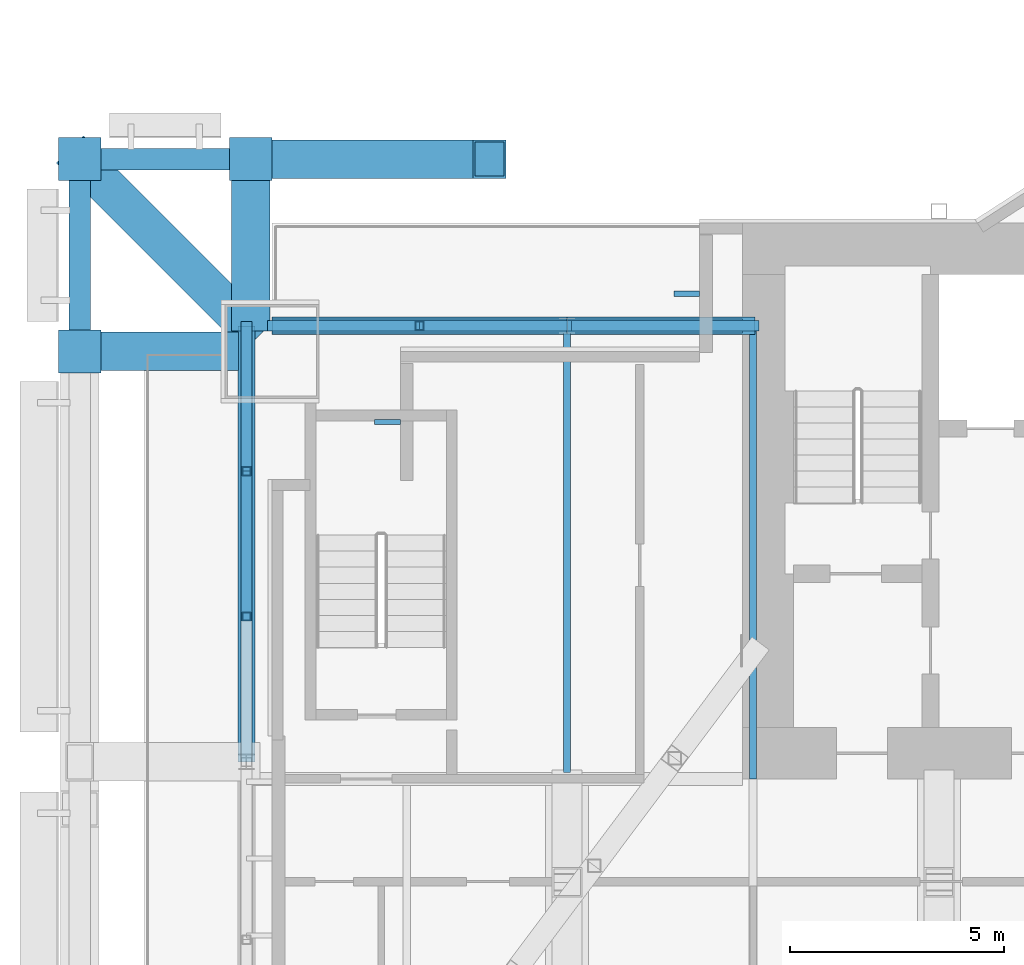
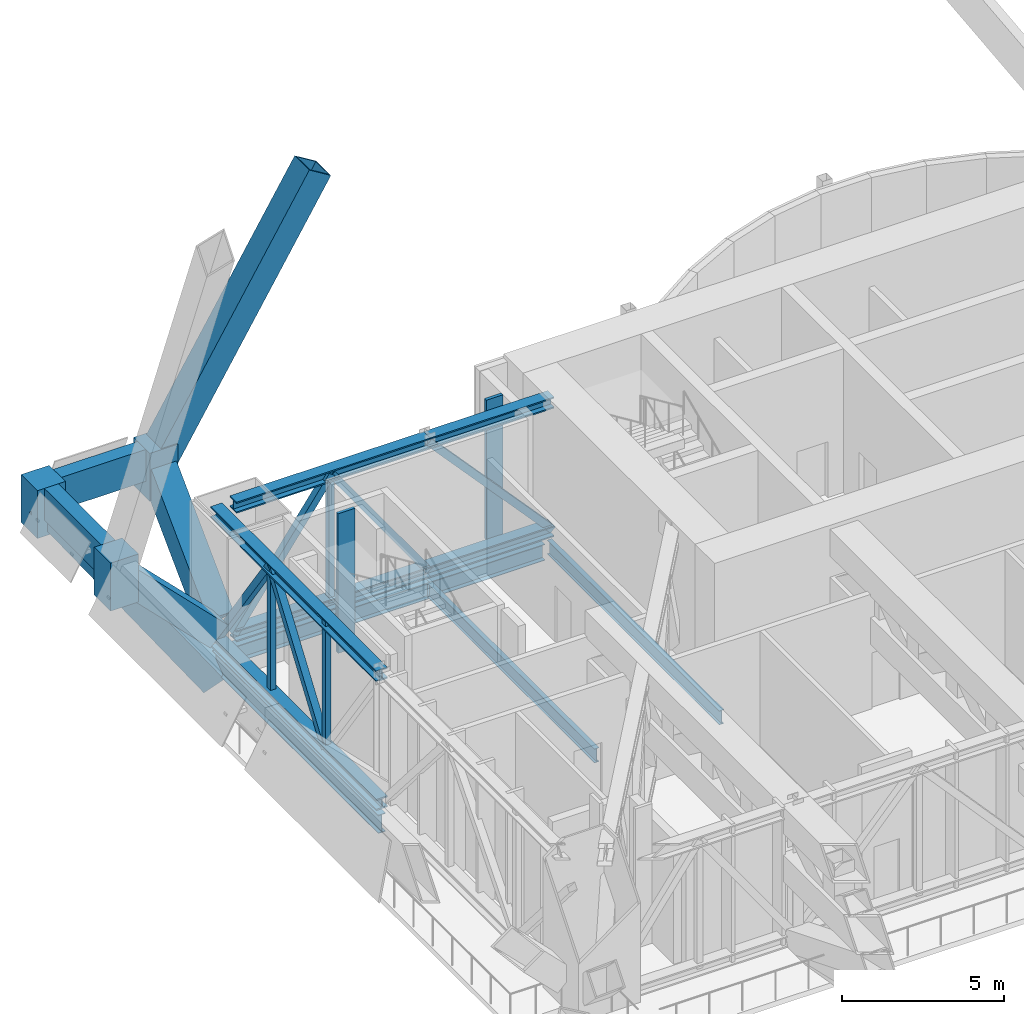
# One storey, part 13 of 30: 23 members, 7 beams, 1 element without a shape of its own.
"""IFC4 building model written with IfcOpenShell, lengths in metres."""

from ifc_helpers import new_model, si_unit, direction, frame, origin, origin_2d, place, context, subcontext, project, spatial, rectangle, hollow_rectangle, i_section, extrude, material, material_profile, profile_set, type_object, element, aggregate, save


model = new_model("IFC4")

# Units and contexts
model_context = context("Model", 3, precision=1e-05, world=origin(), true_north=direction((0.0, 1.0)))
body_context = subcontext(model_context, "Body", "Model", "MODEL_VIEW")
ifc_project = project(units=[si_unit("LENGTHUNIT", "METRE"), si_unit("AREAUNIT", "SQUARE_METRE"), si_unit("VOLUMEUNIT", "CUBIC_METRE"), si_unit("PLANEANGLEUNIT", "RADIAN"), si_unit("MASSUNIT", "GRAM", prefix="KILO")], contexts=[model_context])

# Site, building, storey
site_placement = place(None, origin())
site = spatial("IfcSite", under=ifc_project, at=site_placement, CompositionType="ELEMENT")
building_placement = place(site_placement, origin())
building = spatial("IfcBuilding", under=site, at=building_placement, Name="Bicima Exchange Tower", CompositionType="ELEMENT")
storey_placement = place(building_placement, frame((0.0, 0.0, 287.60009765625)))
storey = spatial("IfcBuildingStorey", under=building, at=storey_placement, Name="L65", CompositionType="ELEMENT", Elevation=287.60009765625)

# Curtain wall, members
ifc_material_1 = material(Name="Anodised bronze aluminium", Category="aluminium")
curtain_wall_type = type_object("IfcCurtainWallType", Name="Band blade screen", PredefinedType="NOTDEFINED", material=ifc_material_1)
curtain_wall_placement = place(storey_placement, origin())
curtain_wall = element("IfcCurtainWall", 1, at=curtain_wall_placement, inside=storey, type_object=curtain_wall_type, Name="Band blade screen L65", PredefinedType="NOTDEFINED")
ifc_material_profile_1 = material_profile(ifc_material_1, rectangle(XDim=0.60009765625, YDim=0.1201171875, at=origin_2d()))
ifc_profile_set_1 = profile_set([ifc_material_profile_1], Name="Anodised bronze aluminium")
member_type_1 = type_object("IfcMemberType", Name="Band blade fin 600 x 120", PredefinedType="USERDEFINED", material=ifc_profile_set_1)
member_1_placement = place(storey_placement, frame((-23.300048828125, -1.64990234375, 0.0), z_axis=(0.0, 0.0, 1.0), x_axis=(1.0, 0.0, 0.0)))
member_1 = element("IfcMember", 2, at=member_1_placement, type_object=member_type_1, Name="Band blade fin 8", ObjectType="FIN", PredefinedType="USERDEFINED", context=body_context, shape_type="SweptSolid", body=[
    extrude(rectangle(XDim=0.60009765625, YDim=0.1201171875, at=origin_2d()), origin(), (0.0, 0.0, 1.0), 5.25),
])
member_2_placement = place(storey_placement, frame((-30.300048828125, -4.64990234375, 0.0), z_axis=(0.0, 0.0, 1.0), x_axis=(1.0, 0.0, 0.0)))
member_2 = element("IfcMember", 3, at=member_2_placement, type_object=member_type_1, Name="Band blade fin 9", ObjectType="FIN", PredefinedType="USERDEFINED", context=body_context, shape_type="SweptSolid", body=[
    extrude(rectangle(XDim=0.60009765625, YDim=0.1201171875, at=origin_2d()), origin(), (0.0, 0.0, 1.0), 5.25),
])
aggregate(curtain_wall, [member_1, member_2])

# Beams
ifc_material_2 = material(Name="Steel ASTM A572 Gr 50", Category="steel")
ifc_material_profile_2 = material_profile(ifc_material_2, hollow_rectangle(XDim=0.5, YDim=1.199951171875, WallThickness=0.0400390625, at=origin_2d()))
ifc_profile_set_2 = profile_set([ifc_material_profile_2], Name="Steel ASTM A572 Gr 50")
beam_type_1 = type_object("IfcBeamType", Name="Belt girder BOX 500x1200x40", PredefinedType="BEAM", material=ifc_profile_set_2)
beam_1_placement = place(storey_placement, frame((-33.5, 1.5, 4.64990234375), z_axis=(-1.0, 0.0, 0.0), x_axis=(0.0, -1.0, 0.0)))
element("IfcBeam", 4, at=beam_1_placement, inside=storey, type_object=beam_type_1, Name="Belt girder", PredefinedType="BEAM", context=body_context, shape_type="SweptSolid", body=[
    extrude(hollow_rectangle(XDim=0.5, YDim=1.199951171875, WallThickness=0.0400390625, at=origin_2d()), origin(), (0.0, 0.0, 1.0), 4.0),
])
beam_2_placement = place(storey_placement, frame((-37.5, 1.5, 4.64990234375), z_axis=(0.0, -1.0, 0.0), x_axis=(1.0, 0.0, 0.0)))
element("IfcBeam", 5, at=beam_2_placement, inside=storey, type_object=beam_type_1, Name="Belt girder", PredefinedType="BEAM", context=body_context, shape_type="SweptSolid", body=[
    extrude(hollow_rectangle(XDim=0.5, YDim=1.199951171875, WallThickness=0.0400390625, at=origin_2d()), origin(), (0.0, 0.0, 1.0), 4.5),
])

# Members
ifc_material_3 = material(Name="Steel ASTM A992 Gr 50", Category="steel")
ifc_material_profile_3 = material_profile(ifc_material_3, i_section(OverallWidth=0.406494140625, OverallDepth=0.41650390625, WebThickness=0.030029296875, FlangeThickness=0.048095703125, at=origin_2d()))
ifc_profile_set_3 = profile_set([ifc_material_profile_3], Name="Steel ASTM A992 Gr 50")
member_type_2 = type_object("IfcMemberType", Name="Belt truss chord W14x257", PredefinedType="CHORD", material=ifc_profile_set_3)
for number, where, z_axis, x_axis, name in (
    (6, (-21.699951171875, -2.39990234375, 5.04150390625), (-1.0, 0.0, 0.0), (0.0, -1.0, 0.0), "Top chord"),
    (7, (-21.699951171875, -2.39990234375, 0.208251953125), (-1.0, 0.0, 0.0), (0.0, -1.0, 0.0), "Bottom chord"),
):
    element("IfcMember", number, at=place(storey_placement, frame(where, z_axis=z_axis, x_axis=x_axis)), inside=storey, type_object=member_type_2, Name=name, PredefinedType="CHORD", context=body_context, shape_type="SweptSolid", body=[
        extrude(i_section(OverallWidth=0.406494140625, OverallDepth=0.41650390625, WebThickness=0.030029296875, FlangeThickness=0.048095703125, at=origin_2d()), origin(), (0.0, 0.0, 1.0), 4.400146484375),
    ])
for number, where, z_axis, x_axis, name in (
    (8, (-26.10009765625, -2.39990234375, 5.04150390625), (-1.0, 0.0, 0.0), (0.0, -1.0, 0.0), "Top chord"),
    (9, (-26.10009765625, -2.39990234375, 0.208251953125), (-1.0, 0.0, 0.0), (0.0, -1.0, 0.0), "Bottom chord"),
):
    element("IfcMember", number, at=place(storey_placement, frame(where, z_axis=z_axis, x_axis=x_axis)), inside=storey, type_object=member_type_2, Name=name, PredefinedType="CHORD", context=body_context, shape_type="SweptSolid", body=[
        extrude(i_section(OverallWidth=0.406494140625, OverallDepth=0.41650390625, WebThickness=0.030029296875, FlangeThickness=0.048095703125, at=origin_2d()), origin(), (0.0, 0.0, 1.0), 6.89990234375),
    ])
for number, where, z_axis, x_axis, name in (
    (10, (-33.60009765625, -2.39990234375, 5.04150390625), (0.0, -1.0, 0.0), (1.0, 0.0, 0.0), "Top chord"),
    (11, (-33.60009765625, -2.39990234375, 0.208251953125), (0.0, -1.0, 0.0), (1.0, 0.0, 0.0), "Bottom chord"),
):
    element("IfcMember", number, at=place(storey_placement, frame(where, z_axis=z_axis, x_axis=x_axis)), inside=storey, type_object=member_type_2, Name=name, PredefinedType="CHORD", context=body_context, shape_type="SweptSolid", body=[
        extrude(i_section(OverallWidth=0.406494140625, OverallDepth=0.41650390625, WebThickness=0.030029296875, FlangeThickness=0.048095703125, at=origin_2d()), origin(), (0.0, 0.0, 1.0), 10.2001953125),
    ])
ifc_material_profile_4 = material_profile(ifc_material_2, hollow_rectangle(XDim=0.25390625, YDim=0.25390625, WallThickness=0.01171875, at=origin_2d()))
ifc_profile_set_4 = profile_set([ifc_material_profile_4], Name="Steel ASTM A572 Gr 50")
member_type_3 = type_object("IfcMemberType", Name="Belt truss diagonal HSS10x10x1/2", PredefinedType="STRUT", material=ifc_profile_set_4)
member_3_placement = place(storey_placement, frame((-21.699951171875, -2.39990234375, 0.208251953125), z_axis=(-0.673198766069, 0.0, 0.739461575313), x_axis=(0.0, -1.0, 0.0)))
element("IfcMember", 12, at=member_3_placement, inside=storey, type_object=member_type_3, Name="Truss diagonal", PredefinedType="STRUT", context=body_context, shape_type="SweptSolid", body=[
    extrude(hollow_rectangle(XDim=0.25390625, YDim=0.25390625, WallThickness=0.01171875, at=origin_2d()), origin(), (0.0, 0.0, 1.0), 6.5361328125),
])
for number, where, z_axis, x_axis, name in (
    (13, (-26.10009765625, -2.39990234375, 0.208251953125), (-0.580973703743, 0.0, 0.813922327719), (0.0, -1.0, 0.0), "Truss diagonal"),
    (14, (-29.550048828125, -2.39990234375, 5.04150390625), (-0.580973703743, 0.0, -0.813922327719), (0.0, -1.0, 0.0), "Truss diagonal"),
):
    element("IfcMember", number, at=place(storey_placement, frame(where, z_axis=z_axis, x_axis=x_axis)), inside=storey, type_object=member_type_3, Name=name, PredefinedType="STRUT", context=body_context, shape_type="SweptSolid", body=[
        extrude(hollow_rectangle(XDim=0.25390625, YDim=0.25390625, WallThickness=0.01171875, at=origin_2d()), origin(), (0.0, 0.0, 1.0), 5.938232421875),
    ])
member_4_placement = place(storey_placement, frame((-33.60009765625, -2.39990234375, 0.208251953125), z_axis=(0.0, -0.575376736325, 0.817888507864), x_axis=(1.0, 0.0, 0.0)))
element("IfcMember", 15, at=member_4_placement, inside=storey, type_object=member_type_3, Name="Truss diagonal", PredefinedType="STRUT", context=body_context, shape_type="SweptSolid", body=[
    extrude(hollow_rectangle(XDim=0.25390625, YDim=0.25390625, WallThickness=0.01171875, at=origin_2d()), origin(), (0.0, 0.0, 1.0), 5.909423828125),
])
member_5_placement = place(storey_placement, frame((-33.60009765625, -5.800048828125, 5.04150390625), z_axis=(0.0, -0.575349098846, -0.817907949868), x_axis=(1.0, 0.0, 0.0)))
element("IfcMember", 16, at=member_5_placement, inside=storey, type_object=member_type_3, Name="Truss diagonal", PredefinedType="STRUT", context=body_context, shape_type="SweptSolid", body=[
    extrude(hollow_rectangle(XDim=0.25390625, YDim=0.25390625, WallThickness=0.01171875, at=origin_2d()), origin(), (0.0, 0.0, 1.0), 5.9091796875),
])
ifc_material_profile_5 = material_profile(ifc_material_2, hollow_rectangle(XDim=0.203125, YDim=0.203125, WallThickness=0.01171875, at=origin_2d()))
ifc_profile_set_5 = profile_set([ifc_material_profile_5], Name="Steel ASTM A572 Gr 50")
member_type_4 = type_object("IfcMemberType", Name="Belt truss post HSS8x8x1/2", PredefinedType="POST", material=ifc_profile_set_5)
for number, where, z_axis, x_axis, name in (
    (17, (-29.550048828125, -2.39990234375, 0.208251953125), (0.0, 0.0, 1.0), (1.0, 0.0, 0.0), "Truss post"),
    (18, (-33.60009765625, -5.800048828125, 0.208251953125), (0.0, 0.0, 1.0), (1.0, 0.0, 0.0), "Truss post"),
    (19, (-33.60009765625, -9.199951171875, 0.208251953125), (0.0, 0.0, 1.0), (1.0, 0.0, 0.0), "Truss post"),
):
    element("IfcMember", number, at=place(storey_placement, frame(where, z_axis=z_axis, x_axis=x_axis)), inside=storey, type_object=member_type_4, Name=name, PredefinedType="POST", context=body_context, shape_type="SweptSolid", body=[
        extrude(hollow_rectangle(XDim=0.203125, YDim=0.203125, WallThickness=0.01171875, at=origin_2d()), origin(), (0.0, 0.0, 1.0), 4.833251953125),
    ])

# Beam
ifc_material_profile_6 = material_profile(ifc_material_3, i_section(OverallWidth=0.256591796875, OverallDepth=0.693359375, WebThickness=0.014404296875, FlangeThickness=0.023681640625, at=origin_2d()))
ifc_profile_set_6 = profile_set([ifc_material_profile_6], Name="Steel ASTM A992 Gr 50")
beam_type_2 = type_object("IfcBeamType", Name="End girder W27x114", PredefinedType="BEAM", material=ifc_profile_set_6)
beam_3_placement = place(storey_placement, frame((-33.60009765625, -2.39990234375, -0.546875), z_axis=(0.0, -1.0, 0.0), x_axis=(1.0, 0.0, 0.0)))
element("IfcBeam", 20, at=beam_3_placement, inside=storey, type_object=beam_type_2, Name="End girder", PredefinedType="BEAM", context=body_context, shape_type="SweptSolid", body=[
    extrude(i_section(OverallWidth=0.256591796875, OverallDepth=0.693359375, WebThickness=0.014404296875, FlangeThickness=0.023681640625, at=origin_2d()), origin(), (0.0, 0.0, 1.0), 10.2001953125),
])

# Members
ifc_material_profile_7 = material_profile(ifc_material_2, hollow_rectangle(XDim=0.89990234375, YDim=0.89990234375, WallThickness=0.050048828125, at=origin_2d()))
ifc_profile_set_7 = profile_set([ifc_material_profile_7], Name="Steel ASTM A572 Gr 50")
member_type_5 = type_object("IfcMemberType", Name="Exo mega brace BOX 900x900x50", PredefinedType="BRACE", material=ifc_profile_set_7)
member_6_placement = place(storey_placement, frame((-33.5, 1.5, 4.5), z_axis=(0.521226887558, 0.0, 0.853418145862), x_axis=(0.0, 1.0, 0.0)))
element("IfcMember", 21, at=member_6_placement, inside=storey, type_object=member_type_5, Name="Exo mega brace rear", PredefinedType="BRACE", context=body_context, shape_type="SweptSolid", body=[
    extrude(hollow_rectangle(XDim=0.89990234375, YDim=0.89990234375, WallThickness=0.050048828125, at=origin_2d()), origin(), (0.0, 0.0, 1.0), 10.711669921875),
])
ifc_material_4 = material(Name="Cast steel ASTM A216 Gr WCB", Category="steel")
ifc_material_profile_8 = material_profile(ifc_material_4, rectangle(XDim=1.0, YDim=1.0, at=origin_2d()))
ifc_profile_set_8 = profile_set([ifc_material_profile_8], Name="Cast steel ASTM A216 Gr WCB")
member_type_6 = type_object("IfcMemberType", Name="Exo node block", PredefinedType="POST", material=ifc_profile_set_8)
for number, where, z_axis, x_axis, name in (
    (22, (-33.5, 1.5, 3.449951171875), (0.0, 0.0, 1.0), (1.0, 0.0, 0.0), "Exo node block"),
    (23, (-37.5, 1.5, 3.449951171875), (0.0, 0.0, 1.0), (1.0, 0.0, 0.0), "Exo node block"),
    (24, (-37.5, -3.0, 3.449951171875), (0.0, 0.0, 1.0), (1.0, 0.0, 0.0), "Exo node block"),
):
    element("IfcMember", number, at=place(storey_placement, frame(where, z_axis=z_axis, x_axis=x_axis)), inside=storey, type_object=member_type_6, Name=name, PredefinedType="POST", context=body_context, shape_type="SweptSolid", body=[
        extrude(rectangle(XDim=1.0, YDim=1.0, at=origin_2d()), origin(), (0.0, 0.0, 1.0), 1.800048828125),
    ])
member_type_7 = type_object("IfcMemberType", Name="Exo outrigger stub BOX 900x900x50", PredefinedType="STRUT", material=ifc_profile_set_7)
member_7_placement = place(storey_placement, frame((-33.5, -2.199951171875, 0.7998046875), z_axis=(0.0, 0.707083452413, 0.70713010919), x_axis=(-1.0, 0.0, 0.0)))
element("IfcMember", 25, at=member_7_placement, inside=storey, type_object=member_type_7, Name="Exo outrigger stub", PredefinedType="STRUT", context=body_context, shape_type="SweptSolid", body=[
    extrude(hollow_rectangle(XDim=0.89990234375, YDim=0.89990234375, WallThickness=0.050048828125, at=origin_2d()), origin(), (0.0, 0.0, 1.0), 5.232666015625),
])
member_8_placement = place(storey_placement, frame((-33.565673828125, -2.434326171875, -1.26416015625), z_axis=(-0.491087687466, 0.491087687466, 0.719489934911), x_axis=(-0.707106781187, -0.707106781187, 0.0)))
element("IfcMember", 26, at=member_8_placement, inside=storey, type_object=member_type_7, Name="Exo outrigger stub", PredefinedType="STRUT", context=body_context, shape_type="SweptSolid", body=[
    extrude(hollow_rectangle(XDim=0.89990234375, YDim=0.89990234375, WallThickness=0.050048828125, at=origin_2d()), origin(), (0.0, 0.0, 1.0), 8.011474609375),
])
member_9_placement = place(storey_placement, frame((-34.10009765625, -3.0, 1.099853515625), z_axis=(-0.707081393635, 0.0, 0.707132167827), x_axis=(0.0, -1.0, 0.0)))
element("IfcMember", 27, at=member_9_placement, inside=storey, type_object=member_type_7, Name="Exo outrigger stub", PredefinedType="STRUT", context=body_context, shape_type="SweptSolid", body=[
    extrude(hollow_rectangle(XDim=0.89990234375, YDim=0.89990234375, WallThickness=0.050048828125, at=origin_2d()), origin(), (0.0, 0.0, 1.0), 4.808349609375),
])

# Beams
ifc_material_profile_9 = material_profile(ifc_material_3, i_section(OverallWidth=0.165771484375, OverallDepth=0.5283203125, WebThickness=0.009765625, FlangeThickness=0.013671875, at=origin_2d()))
ifc_profile_set_9 = profile_set([ifc_material_profile_9], Name="Steel ASTM A992 Gr 50")
beam_type_3 = type_object("IfcBeamType", Name="Floor beam W21x50", PredefinedType="JOIST", material=ifc_profile_set_9)
beam_4_placement = place(storey_placement, frame((-26.10009765625, -2.5625, -0.46435546875), z_axis=(0.0, -1.0, 0.0), x_axis=(1.0, 0.0, 0.0)))
element("IfcBeam", 28, at=beam_4_placement, inside=storey, type_object=beam_type_3, Name="Floor beam", PredefinedType="JOIST", context=body_context, shape_type="SweptSolid", body=[
    extrude(i_section(OverallWidth=0.165771484375, OverallDepth=0.5283203125, WebThickness=0.009765625, FlangeThickness=0.013671875, at=origin_2d()), origin(), (0.0, 0.0, 1.0), 10.28515625),
])
beam_5_placement = place(storey_placement, frame((-21.75, -2.39990234375, -0.46435546875), z_axis=(0.0, -1.0, 0.0), x_axis=(1.0, 0.0, 0.0)))
element("IfcBeam", 29, at=beam_5_placement, inside=storey, type_object=beam_type_3, Name="Floor beam", PredefinedType="JOIST", context=body_context, shape_type="SweptSolid", body=[
    extrude(i_section(OverallWidth=0.165771484375, OverallDepth=0.5283203125, WebThickness=0.009765625, FlangeThickness=0.013671875, at=origin_2d()), origin(), (0.0, 0.0, 1.0), 10.60009765625),
])
ifc_material_profile_10 = material_profile(ifc_material_3, i_section(OverallWidth=0.3251953125, OverallDepth=0.612060546875, WebThickness=0.0126953125, FlangeThickness=0.01904296875, at=origin_2d()))
ifc_profile_set_10 = profile_set([ifc_material_profile_10], Name="Steel ASTM A992 Gr 50")
beam_type_4 = type_object("IfcBeamType", Name="Rear girder W24x104", PredefinedType="BEAM", material=ifc_profile_set_10)
beam_6_placement = place(storey_placement, frame((-22.0, -2.39990234375, -0.506103515625), z_axis=(-1.0, 0.0, 0.0), x_axis=(0.0, -1.0, 0.0)))
element("IfcBeam", 30, at=beam_6_placement, inside=storey, type_object=beam_type_4, Name="Rear girder", PredefinedType="BEAM", context=body_context, shape_type="SweptSolid", body=[
    extrude(i_section(OverallWidth=0.3251953125, OverallDepth=0.612060546875, WebThickness=0.0126953125, FlangeThickness=0.01904296875, at=origin_2d()), origin(), (0.0, 0.0, 1.0), 4.10009765625),
])
beam_7_placement = place(storey_placement, frame((-26.10009765625, -2.39990234375, -0.506103515625), z_axis=(-1.0, 0.0, 0.0), x_axis=(0.0, -1.0, 0.0)))
element("IfcBeam", 31, at=beam_7_placement, inside=storey, type_object=beam_type_4, Name="Rear girder", PredefinedType="BEAM", context=body_context, shape_type="SweptSolid", body=[
    extrude(i_section(OverallWidth=0.3251953125, OverallDepth=0.612060546875, WebThickness=0.0126953125, FlangeThickness=0.01904296875, at=origin_2d()), origin(), (0.0, 0.0, 1.0), 6.89990234375),
])

save(model, "model.ifc")
